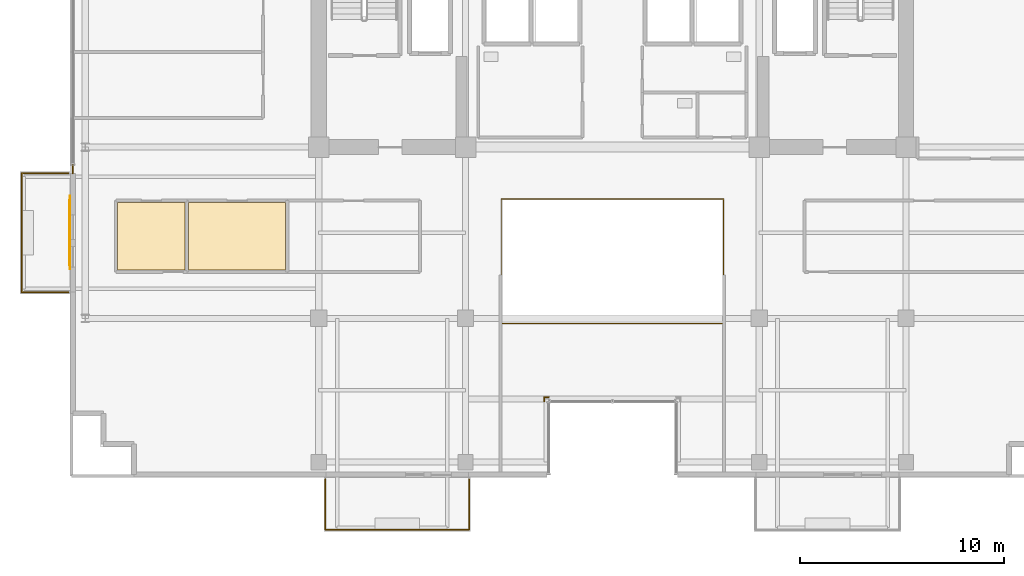
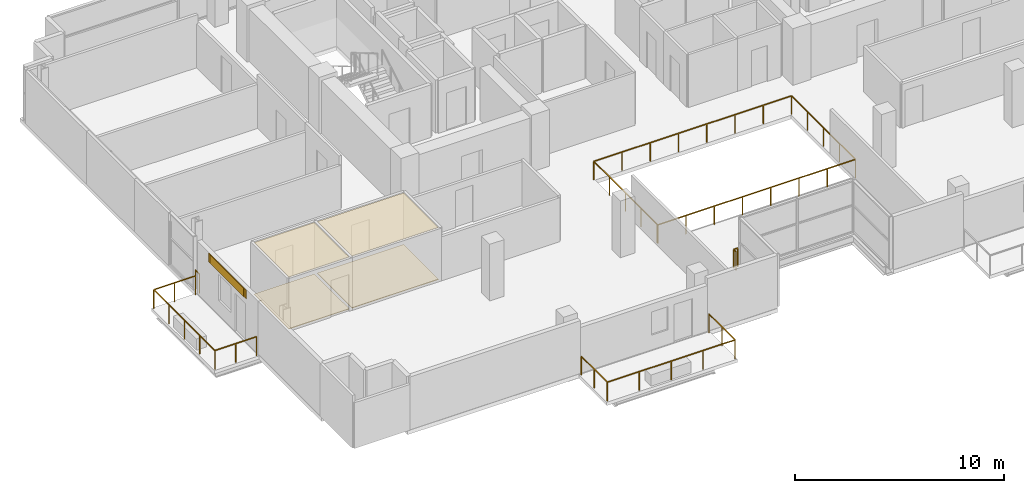
# One storey, part 18 of 21: 6 railings, 5 coverings, 1 shading device.
"""IFC4 building model written with IfcOpenShell, lengths in metres."""

from ifc_helpers import new_model, si_unit, direction, frame, origin, origin_2d, place, context, subcontext, project, spatial, polyline, rectangle, outline, extrude, source, transform, mapped, material, layer, layer_set, type_object, element, save


model = new_model("IFC4")

# Units and contexts
model_context = context("Model", 3, precision=1e-05, world=origin(), true_north=direction((0.0, 1.0)))
body_context = subcontext(model_context, "Body", "Model", "MODEL_VIEW")
ifc_project = project(units=[si_unit("LENGTHUNIT", "METRE"), si_unit("AREAUNIT", "SQUARE_METRE"), si_unit("VOLUMEUNIT", "CUBIC_METRE"), si_unit("PLANEANGLEUNIT", "RADIAN"), si_unit("MASSUNIT", "GRAM", prefix="KILO")], contexts=[model_context])

# Site, building, storey
site_placement = place(None, origin())
site = spatial("IfcSite", under=ifc_project, at=site_placement, CompositionType="ELEMENT")
building_placement = place(site_placement, origin())
building = spatial("IfcBuilding", under=site, at=building_placement, Name="Zarnakvel Exchange Tower", CompositionType="ELEMENT")
storey_placement = place(building_placement, frame((0.0, 0.0, 166.0)))
storey = spatial("IfcBuildingStorey", under=building, at=storey_placement, Name="L46", CompositionType="ELEMENT", Elevation=166.0)

# Coverings
ifc_material_1 = material(Name="Perforated Bronze Acoustic Metal Ceiling", Category="aluminium")
ifc_layer_1 = layer(ifc_material_1, 0.02001953125)
ifc_layer_set_1 = layer_set([ifc_layer_1], Name="Perforated Bronze Acoustic Metal Ceiling")
covering_type_1 = type_object("IfcCoveringType", Name="CLG-01", PredefinedType="CEILING", material=ifc_layer_set_1)
covering_1_placement = place(storey_placement, frame((0.0, 0.0, 3.014892578125)))
element("IfcCovering", 1, at=covering_1_placement, inside=storey, type_object=covering_type_1, Name="L46 Suspended Acoustic Ceiling (Quant Research Office)", PredefinedType="CEILING", context=body_context, shape_type="SweptSolid", body=[
    extrude(outline(polyline([(-24.2685546875, -3.909912109375), (-20.94775390625, -3.909912109375), (-20.94775390625, -7.239990234375), (-24.2685546875, -7.239990234375), (-24.2685546875, -3.909912109375)])), origin(), (0.0, 0.0, 1.0), 0.02001953125),
])
covering_2_placement = place(storey_placement, frame((0.0, 0.0, 3.014892578125)))
element("IfcCovering", 2, at=covering_2_placement, inside=storey, type_object=covering_type_1, Name="L46 Suspended Acoustic Ceiling (Conference Room)", PredefinedType="CEILING", context=body_context, shape_type="SweptSolid", body=[
    extrude(outline(polyline([(-20.78759765625, -3.909912109375), (-16.02294921875, -3.909912109375), (-16.02294921875, -7.239990234375), (-20.78759765625, -7.239990234375), (-20.78759765625, -3.909912109375)])), origin(), (0.0, 0.0, 1.0), 0.02001953125),
])
ifc_material_2 = material(Name="Heavy-Duty Raised Access Floor Panel", Category="steel")
ifc_layer_2 = layer(ifc_material_2, 0.034912109375)
ifc_layer_set_2 = layer_set([ifc_layer_2], Name="Heavy-Duty Raised Access Floor Panel")
covering_type_2 = type_object("IfcCoveringType", Name="FLR-02", PredefinedType="FLOORING", material=ifc_layer_set_2)
covering_3_placement = place(storey_placement, origin())
element("IfcCovering", 3, at=covering_3_placement, inside=storey, type_object=covering_type_2, Name="L46 Floor Finish (Quant Research Office)", PredefinedType="FLOORING", context=body_context, shape_type="SweptSolid", body=[
    extrude(outline(polyline([(-24.2685546875, -3.909912109375), (-20.94775390625, -3.909912109375), (-20.94775390625, -7.239990234375), (-24.2685546875, -7.239990234375), (-24.2685546875, -3.909912109375)])), origin(), (0.0, 0.0, 1.0), 0.034912109375),
])
covering_4_placement = place(storey_placement, origin())
element("IfcCovering", 4, at=covering_4_placement, inside=storey, type_object=covering_type_2, Name="L46 Floor Finish (Conference Room)", PredefinedType="FLOORING", context=body_context, shape_type="SweptSolid", body=[
    extrude(outline(polyline([(-20.78759765625, -3.909912109375), (-16.02294921875, -3.909912109375), (-16.02294921875, -7.239990234375), (-20.78759765625, -7.239990234375), (-20.78759765625, -3.909912109375)])), origin(), (0.0, 0.0, 1.0), 0.034912109375),
])

# Railings
ifc_material_3 = material(Name="Architectural Bronze Anodised Aluminium", Category="aluminium")
railing_type_1 = type_object("IfcRailingType", Name="GR-02", PredefinedType="GUARDRAIL", material=ifc_material_3)
railing_1_placement = place(storey_placement, frame((-14.070068359375, -17.47998046875, -0.034912109375)))
element("IfcRailing", 5, at=railing_1_placement, inside=storey, type_object=railing_type_1, Name="L46 Balcony Guardrail BAL-L46-SW", PredefinedType="GUARDRAIL", context=body_context, shape_type="SweptSolid", body=[
    extrude(rectangle(XDim=0.048095703125, YDim=0.048095703125, at=origin_2d()), frame((0.0, 0.0, 1.09619140625), z_axis=(0.0, -1.0, 0.0), x_axis=(1.0, 0.0, 0.0)), (0.0, 0.0, 1.0), 2.489990234375),
    extrude(rectangle(XDim=0.048095703125, YDim=0.048095703125, at=origin_2d()), frame((0.0, -2.489990234375, 1.09619140625), z_axis=(1.0, 0.0, 0.0), x_axis=(0.0, 1.0, 0.0)), (0.0, 0.0, 1.0), 7.0400390625),
    extrude(rectangle(XDim=0.048095703125, YDim=0.048095703125, at=origin_2d()), frame((7.0400390625, -2.489990234375, 1.09619140625), z_axis=(0.0, 1.0, 0.0), x_axis=(-1.0, 0.0, 0.0)), (0.0, 0.0, 1.0), 2.489990234375),
    extrude(rectangle(XDim=0.0419921875, YDim=0.0419921875, at=origin_2d()), origin(), (0.0, 0.0, 1.0), 1.072021484375),
    extrude(rectangle(XDim=0.0419921875, YDim=0.0419921875, at=origin_2d()), frame((0.0, -1.2451171875, 0.0)), (0.0, 0.0, 1.0), 1.072021484375),
    extrude(rectangle(XDim=0.0419921875, YDim=0.0419921875, at=origin_2d()), frame((0.0, -2.489990234375, 0.0)), (0.0, 0.0, 1.0), 1.072021484375),
    extrude(rectangle(XDim=0.0419921875, YDim=0.0419921875, at=origin_2d()), frame((1.760009765625, -2.489990234375, 0.0)), (0.0, 0.0, 1.0), 1.072021484375),
    extrude(rectangle(XDim=0.0419921875, YDim=0.0419921875, at=origin_2d()), frame((3.52001953125, -2.489990234375, 0.0)), (0.0, 0.0, 1.0), 1.072021484375),
    extrude(rectangle(XDim=0.0419921875, YDim=0.0419921875, at=origin_2d()), frame((5.280029296875, -2.489990234375, 0.0)), (0.0, 0.0, 1.0), 1.072021484375),
    extrude(rectangle(XDim=0.0419921875, YDim=0.0419921875, at=origin_2d()), frame((7.0400390625, -2.489990234375, 0.0)), (0.0, 0.0, 1.0), 1.072021484375),
    extrude(rectangle(XDim=0.0419921875, YDim=0.0419921875, at=origin_2d()), frame((7.0400390625, -1.2451171875, 0.0)), (0.0, 0.0, 1.0), 1.072021484375),
    extrude(rectangle(XDim=0.0419921875, YDim=0.0419921875, at=origin_2d()), frame((7.0400390625, 0.0, 0.0)), (0.0, 0.0, 1.0), 1.072021484375),
])
railing_2_placement = place(storey_placement, frame((-26.679931640625, -8.320068359375, -0.034912109375)))
element("IfcRailing", 6, at=railing_2_placement, inside=storey, type_object=railing_type_1, Name="L46 Balcony Guardrail BAL-L46-W", PredefinedType="GUARDRAIL", context=body_context, shape_type="SweptSolid", body=[
    extrude(rectangle(XDim=0.048095703125, YDim=0.048095703125, at=origin_2d()), frame((0.0, 0.0, 1.09619140625), z_axis=(-1.0, 0.0, 0.0), x_axis=(0.0, -1.0, 0.0)), (0.0, 0.0, 1.0), 2.2900390625),
    extrude(rectangle(XDim=0.048095703125, YDim=0.048095703125, at=origin_2d()), frame((-2.2900390625, 0.0, 1.09619140625), z_axis=(0.0, 1.0, 0.0), x_axis=(-1.0, 0.0, 0.0)), (0.0, 0.0, 1.0), 5.840087890625),
    extrude(rectangle(XDim=0.048095703125, YDim=0.048095703125, at=origin_2d()), frame((-2.2900390625, 5.840087890625, 1.09619140625), z_axis=(1.0, 0.0, 0.0), x_axis=(0.0, 1.0, 0.0)), (0.0, 0.0, 1.0), 2.2900390625),
    extrude(rectangle(XDim=0.0419921875, YDim=0.0419921875, at=origin_2d()), origin(), (0.0, 0.0, 1.0), 1.072021484375),
    extrude(rectangle(XDim=0.0419921875, YDim=0.0419921875, at=origin_2d()), frame((-1.14501953125, 0.0, 0.0)), (0.0, 0.0, 1.0), 1.072021484375),
    extrude(rectangle(XDim=0.0419921875, YDim=0.0419921875, at=origin_2d()), frame((-2.2900390625, 0.0, 0.0)), (0.0, 0.0, 1.0), 1.072021484375),
    extrude(rectangle(XDim=0.0419921875, YDim=0.0419921875, at=origin_2d()), frame((-2.2900390625, 1.4599609375, 0.0)), (0.0, 0.0, 1.0), 1.072021484375),
    extrude(rectangle(XDim=0.0419921875, YDim=0.0419921875, at=origin_2d()), frame((-2.2900390625, 2.919921875, 0.0)), (0.0, 0.0, 1.0), 1.072021484375),
    extrude(rectangle(XDim=0.0419921875, YDim=0.0419921875, at=origin_2d()), frame((-2.2900390625, 4.380126953125, 0.0)), (0.0, 0.0, 1.0), 1.072021484375),
    extrude(rectangle(XDim=0.0419921875, YDim=0.0419921875, at=origin_2d()), frame((-2.2900390625, 5.840087890625, 0.0)), (0.0, 0.0, 1.0), 1.072021484375),
    extrude(rectangle(XDim=0.0419921875, YDim=0.0419921875, at=origin_2d()), frame((-1.14501953125, 5.840087890625, 0.0)), (0.0, 0.0, 1.0), 1.072021484375),
    extrude(rectangle(XDim=0.0419921875, YDim=0.0419921875, at=origin_2d()), frame((0.0, 5.840087890625, 0.0)), (0.0, 0.0, 1.0), 1.072021484375),
])
railing_3_placement = place(storey_placement, frame((-26.4599609375, -2.5, 0.0)))
element("IfcRailing", 7, at=railing_3_placement, inside=storey, type_object=railing_type_1, Name="L46 Corner Spandrel Balustrade #2", PredefinedType="GUARDRAIL", context=body_context, shape_type="SweptSolid", body=[
    extrude(rectangle(XDim=0.048095703125, YDim=0.048095703125, at=origin_2d()), frame((0.0, 0.0, 1.09619140625), z_axis=(0.0, 1.0, 0.0), x_axis=(-1.0, 0.0, 0.0)), (0.0, 0.0, 1.0), 0.39990234375),
    extrude(rectangle(XDim=0.0419921875, YDim=0.0419921875, at=origin_2d()), origin(), (0.0, 0.0, 1.0), 1.072021484375),
    extrude(rectangle(XDim=0.0419921875, YDim=0.0419921875, at=origin_2d()), frame((0.0, 0.39990234375, 0.0)), (0.0, 0.0, 1.0), 1.072021484375),
])
railing_4_placement = place(storey_placement, frame((-3.1201171875, -13.4599609375, 0.0)))
element("IfcRailing", 8, at=railing_4_placement, inside=storey, type_object=railing_type_1, Name="L46 Corner Spandrel Balustrade #19", PredefinedType="GUARDRAIL", context=body_context, shape_type="SweptSolid", body=[
    extrude(rectangle(XDim=0.048095703125, YDim=0.048095703125, at=origin_2d()), frame((0.0, 0.0, 1.09619140625), z_axis=(-1.0, 0.0, 0.0), x_axis=(0.0, -1.0, 0.0)), (0.0, 0.0, 1.0), 0.219970703125),
    extrude(rectangle(XDim=0.0419921875, YDim=0.0419921875, at=origin_2d()), origin(), (0.0, 0.0, 1.0), 1.072021484375),
    extrude(rectangle(XDim=0.0419921875, YDim=0.0419921875, at=origin_2d()), frame((-0.219970703125, 0.0, 0.0)), (0.0, 0.0, 1.0), 1.072021484375),
])
railing_5_placement = place(storey_placement, frame((-3.340087890625, -13.4599609375, 0.0)))
element("IfcRailing", 9, at=railing_5_placement, inside=storey, type_object=railing_type_1, Name="L46 Corner Spandrel Balustrade #20", PredefinedType="GUARDRAIL", context=body_context, shape_type="SweptSolid", body=[
    extrude(rectangle(XDim=0.048095703125, YDim=0.048095703125, at=origin_2d()), frame((0.0, 0.0, 1.09619140625), z_axis=(0.0, -1.0, 0.0), x_axis=(1.0, 0.0, 0.0)), (0.0, 0.0, 1.0), 0.219970703125),
    extrude(rectangle(XDim=0.0419921875, YDim=0.0419921875, at=origin_2d()), origin(), (0.0, 0.0, 1.0), 1.072021484375),
    extrude(rectangle(XDim=0.0419921875, YDim=0.0419921875, at=origin_2d()), frame((0.0, -0.219970703125, 0.0)), (0.0, 0.0, 1.0), 1.072021484375),
])
railing_type_2 = type_object("IfcRailingType", Name="GR-03", PredefinedType="GUARDRAIL", material=ifc_material_3)
railing_6_placement = place(storey_placement, frame((-5.449951171875, -9.85009765625, 0.0)))
element("IfcRailing", 10, at=railing_6_placement, inside=storey, type_object=railing_type_2, Name="L46 Atrium Void Perimeter Balustrade", PredefinedType="GUARDRAIL", context=body_context, shape_type="SweptSolid", body=[
    extrude(rectangle(XDim=0.048095703125, YDim=0.048095703125, at=origin_2d()), frame((0.0, 0.0, 1.076171875), z_axis=(1.0, 0.0, 0.0), x_axis=(0.0, 1.0, 0.0)), (0.0, 0.0, 1.0), 10.89990234375),
    extrude(rectangle(XDim=0.048095703125, YDim=0.048095703125, at=origin_2d()), frame((10.89990234375, 0.0, 1.076171875), z_axis=(0.0, 1.0, 0.0), x_axis=(-1.0, 0.0, 0.0)), (0.0, 0.0, 1.0), 6.10009765625),
    extrude(rectangle(XDim=0.048095703125, YDim=0.048095703125, at=origin_2d()), frame((10.89990234375, 6.10009765625, 1.076171875), z_axis=(-1.0, 0.0, 0.0), x_axis=(0.0, -1.0, 0.0)), (0.0, 0.0, 1.0), 10.89990234375),
    extrude(rectangle(XDim=0.048095703125, YDim=0.048095703125, at=origin_2d()), frame((0.0, 6.10009765625, 1.076171875), z_axis=(0.0, -1.0, 0.0), x_axis=(1.0, 0.0, 0.0)), (0.0, 0.0, 1.0), 6.02001953125),
    extrude(rectangle(XDim=0.0419921875, YDim=0.0419921875, at=origin_2d()), origin(), (0.0, 0.0, 1.0), 1.052001953125),
    extrude(rectangle(XDim=0.0419921875, YDim=0.0419921875, at=origin_2d()), frame((1.55712890625, 0.0, 0.0)), (0.0, 0.0, 1.0), 1.052001953125),
    extrude(rectangle(XDim=0.0419921875, YDim=0.0419921875, at=origin_2d()), frame((3.1142578125, 0.0, 0.0)), (0.0, 0.0, 1.0), 1.052001953125),
    extrude(rectangle(XDim=0.0419921875, YDim=0.0419921875, at=origin_2d()), frame((4.67138671875, 0.0, 0.0)), (0.0, 0.0, 1.0), 1.052001953125),
    extrude(rectangle(XDim=0.0419921875, YDim=0.0419921875, at=origin_2d()), frame((6.228515625, 0.0, 0.0)), (0.0, 0.0, 1.0), 1.052001953125),
    extrude(rectangle(XDim=0.0419921875, YDim=0.0419921875, at=origin_2d()), frame((7.78564453125, 0.0, 0.0)), (0.0, 0.0, 1.0), 1.052001953125),
    extrude(rectangle(XDim=0.0419921875, YDim=0.0419921875, at=origin_2d()), frame((9.3427734375, 0.0, 0.0)), (0.0, 0.0, 1.0), 1.052001953125),
    extrude(rectangle(XDim=0.0419921875, YDim=0.0419921875, at=origin_2d()), frame((10.89990234375, 0.0, 0.0)), (0.0, 0.0, 1.0), 1.052001953125),
    extrude(rectangle(XDim=0.0419921875, YDim=0.0419921875, at=origin_2d()), frame((10.89990234375, 1.52490234375, 0.0)), (0.0, 0.0, 1.0), 1.052001953125),
    extrude(rectangle(XDim=0.0419921875, YDim=0.0419921875, at=origin_2d()), frame((10.89990234375, 3.050048828125, 0.0)), (0.0, 0.0, 1.0), 1.052001953125),
    extrude(rectangle(XDim=0.0419921875, YDim=0.0419921875, at=origin_2d()), frame((10.89990234375, 4.5751953125, 0.0)), (0.0, 0.0, 1.0), 1.052001953125),
    extrude(rectangle(XDim=0.0419921875, YDim=0.0419921875, at=origin_2d()), frame((10.89990234375, 6.10009765625, 0.0)), (0.0, 0.0, 1.0), 1.052001953125),
    extrude(rectangle(XDim=0.0419921875, YDim=0.0419921875, at=origin_2d()), frame((9.3427734375, 6.10009765625, 0.0)), (0.0, 0.0, 1.0), 1.052001953125),
    extrude(rectangle(XDim=0.0419921875, YDim=0.0419921875, at=origin_2d()), frame((7.78564453125, 6.10009765625, 0.0)), (0.0, 0.0, 1.0), 1.052001953125),
    extrude(rectangle(XDim=0.0419921875, YDim=0.0419921875, at=origin_2d()), frame((6.228515625, 6.10009765625, 0.0)), (0.0, 0.0, 1.0), 1.052001953125),
    extrude(rectangle(XDim=0.0419921875, YDim=0.0419921875, at=origin_2d()), frame((4.67138671875, 6.10009765625, 0.0)), (0.0, 0.0, 1.0), 1.052001953125),
    extrude(rectangle(XDim=0.0419921875, YDim=0.0419921875, at=origin_2d()), frame((3.1142578125, 6.10009765625, 0.0)), (0.0, 0.0, 1.0), 1.052001953125),
    extrude(rectangle(XDim=0.0419921875, YDim=0.0419921875, at=origin_2d()), frame((1.55712890625, 6.10009765625, 0.0)), (0.0, 0.0, 1.0), 1.052001953125),
    extrude(rectangle(XDim=0.0419921875, YDim=0.0419921875, at=origin_2d()), frame((0.0, 6.10009765625, 0.0)), (0.0, 0.0, 1.0), 1.052001953125),
    extrude(rectangle(XDim=0.0419921875, YDim=0.0419921875, at=origin_2d()), frame((0.0, 4.59521484375, 0.0)), (0.0, 0.0, 1.0), 1.052001953125),
    extrude(rectangle(XDim=0.0419921875, YDim=0.0419921875, at=origin_2d()), frame((0.0, 3.090087890625, 0.0)), (0.0, 0.0, 1.0), 1.052001953125),
    extrude(rectangle(XDim=0.0419921875, YDim=0.0419921875, at=origin_2d()), frame((0.0, 1.5849609375, 0.0)), (0.0, 0.0, 1.0), 1.052001953125),
    extrude(rectangle(XDim=0.0419921875, YDim=0.0419921875, at=origin_2d()), frame((0.0, 0.080078125, 0.0)), (0.0, 0.0, 1.0), 1.052001953125),
])

# Shading device
ifc_material_4 = material(Name="Perforated Architectural Bronze Screen", Category="aluminium")
ifc_layer_3 = layer(ifc_material_4, 0.044921875)
ifc_layer_set_3 = layer_set([ifc_layer_3], Name="Perforated Architectural Bronze Screen")
shading_device_type = type_object("IfcShadingDeviceType", Name="SS-01", PredefinedType="JALOUSIE", material=ifc_layer_set_3)
shared_shape_1 = source(origin(), body_context, "Body", "SweptSolid", [
    extrude(rectangle(XDim=3.199951171875, YDim=0.044921875, at=origin_2d()), origin(), (0.0, 0.0, 1.0), 0.4951171875),
])
shading_device_placement = place(storey_placement, frame((-26.6005859375, -5.39990234375, 2.56005859375), z_axis=(0.0, 0.0, 1.0), x_axis=(0.0, 1.0, 0.0)))
element("IfcShadingDevice", 11, at=shading_device_placement, inside=storey, type_object=shading_device_type, Name="L46 Bronze Solar Shading Screen SS-01", PredefinedType="JALOUSIE", context=body_context, shape_type="MappedRepresentation", body=[
    mapped(shared_shape_1, transform((0.0, 0.0, 0.0), x_axis=(1.0, 0.0, 0.0), y_axis=(0.0, 1.0, 0.0), z_axis=(0.0, 0.0, 1.0), scale=1.0)),
])

# Covering
ifc_material_5 = material(Name="Glazed Turquoise Ceramic Architectural Tile", Category="ceramic")
ifc_layer_4 = layer(ifc_material_5, 0.028076171875)
ifc_layer_set_4 = layer_set([ifc_layer_4], Name="Glazed Turquoise Ceramic Architectural Tile")
covering_type_3 = type_object("IfcCoveringType", Name="CL-01", PredefinedType="CLADDING", material=ifc_layer_set_4)
shared_shape_2 = source(origin(), body_context, "Body", "SweptSolid", [
    extrude(rectangle(XDim=3.60009765625, YDim=0.028076171875, at=origin_2d()), origin(), (0.0, 0.0, 1.0), 0.4951171875),
])
covering_5_placement = place(storey_placement, frame((-26.592041015625, -5.39990234375, 2.56005859375), z_axis=(0.0, 0.0, 1.0), x_axis=(0.0, 1.0, 0.0)))
element("IfcCovering", 12, at=covering_5_placement, inside=storey, type_object=covering_type_3, Name="L46 Ceramic Spandrel Tilework CL-01", PredefinedType="CLADDING", context=body_context, shape_type="MappedRepresentation", body=[
    mapped(shared_shape_2, transform((0.0, 0.0, 0.0), x_axis=(1.0, 0.0, 0.0), y_axis=(0.0, 1.0, 0.0), z_axis=(0.0, 0.0, 1.0), scale=1.0)),
])

save(model, "model.ifc")
